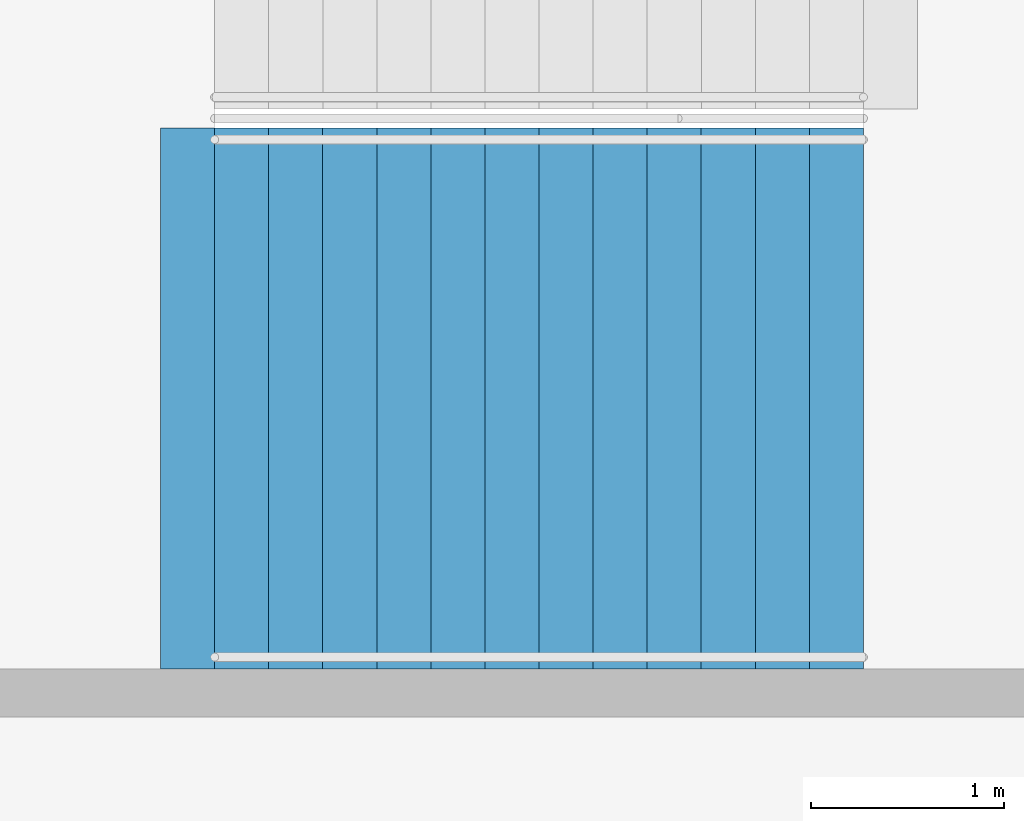
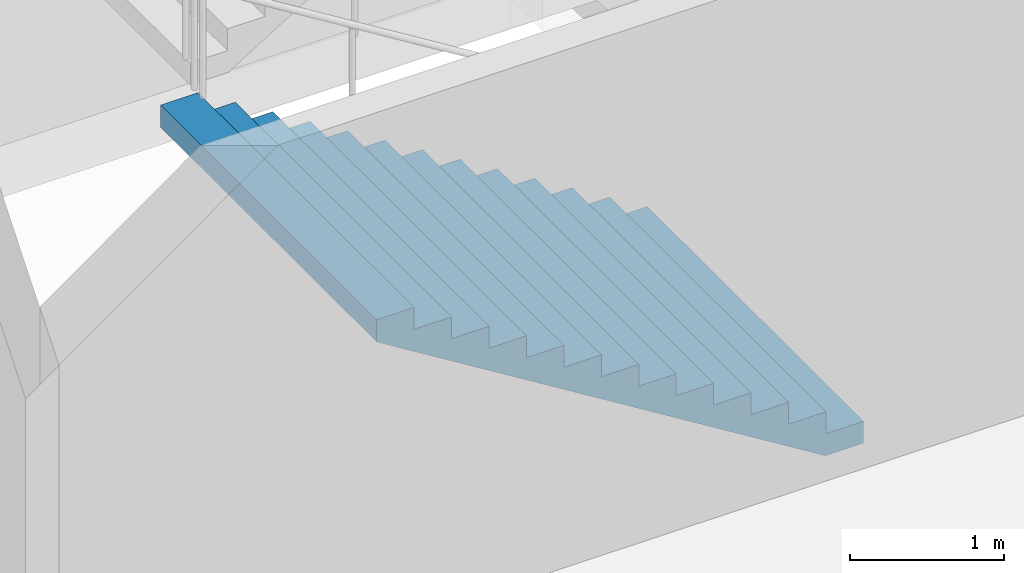
# One storey, part 131 of 199: 1 stair flight, 1 element without a shape of its own.
"""IFC4 building model written with IfcOpenShell, lengths in metres."""

from ifc_helpers import new_model, si_unit, direction, frame, origin, place, context, subcontext, project, spatial, faceted_brep, material, type_object, element, aggregate, save


model = new_model("IFC4")

# Units and contexts
model_context = context("Model", 3, precision=1e-05, world=origin(), true_north=direction((0.0, 1.0)))
body_context = subcontext(model_context, "Body", "Model", "MODEL_VIEW")
ifc_project = project(units=[si_unit("LENGTHUNIT", "METRE"), si_unit("AREAUNIT", "SQUARE_METRE"), si_unit("VOLUMEUNIT", "CUBIC_METRE"), si_unit("PLANEANGLEUNIT", "RADIAN"), si_unit("MASSUNIT", "GRAM", prefix="KILO")], contexts=[model_context])

# Site, building, storey
site_placement = place(None, origin())
site = spatial("IfcSite", under=ifc_project, at=site_placement, CompositionType="ELEMENT")
building_placement = place(site_placement, origin())
building = spatial("IfcBuilding", under=site, at=building_placement, Name="Ogive Plaza Stadium", CompositionType="ELEMENT")
storey_placement = place(building_placement, frame((0.0, 0.0, 9.0)))
storey = spatial("IfcBuildingStorey", under=building, at=storey_placement, Name="L02", CompositionType="ELEMENT", Elevation=9.0)

# Stair, stair flight
ifc_material_1 = material(Name="Concrete C40/50", Category="concrete")
stair_type = type_object("IfcStairType", Name="Exit stair", PredefinedType="STRAIGHT_RUN_STAIR", material=ifc_material_1)
stair_placement = place(storey_placement, origin())
stair = element("IfcStair", 1, at=stair_placement, inside=storey, type_object=stair_type, Name="Exit stair ST26B L02 to L03", PredefinedType="STRAIGHT_RUN_STAIR")
ifc_material_2 = material(Name="Concrete C40/50", Category="concrete")
stair_flight_type = type_object("IfcStairFlightType", Name="Exit stair flight", PredefinedType="STRAIGHT", material=ifc_material_2)
stair_flight_placement = place(storey_placement, frame((-76.35009765625, 18.074951171875, 0.0), z_axis=(0.0, 0.0, 1.0), x_axis=(-1.0, 0.0, 0.0)))
stair_flight = element("IfcStairFlight", 2, at=stair_flight_placement, type_object=stair_flight_type, Name="ST26B flight 1", NumberOfRisers=13, NumberOfTreads=12, PredefinedType="STRAIGHT", RiserHeight=0.173076923, TreadLength=0.28, context=body_context, shape_type="Brep", body=[
    faceted_brep([(0.28515625, -1.39990234375, 0.0), (3.639892578125, -1.39990234375, 2.07373046875), (3.639892578125, -1.39990234375, 2.25), (3.360107421875, -1.39990234375, 2.25), (3.360107421875, -1.39990234375, 2.076904296875), (3.080078125, -1.39990234375, 2.076904296875), (3.080078125, -1.39990234375, 1.90380859375), (2.800048828125, -1.39990234375, 1.90380859375), (2.800048828125, -1.39990234375, 1.730712890625), (2.52001953125, -1.39990234375, 1.730712890625), (2.52001953125, -1.39990234375, 1.5576171875), (2.239990234375, -1.39990234375, 1.5576171875), (2.239990234375, -1.39990234375, 1.384521484375), (1.9599609375, -1.39990234375, 1.384521484375), (1.9599609375, -1.39990234375, 1.21142578125), (1.679931640625, -1.39990234375, 1.21142578125), (1.679931640625, -1.39990234375, 1.03857421875), (1.39990234375, -1.39990234375, 1.03857421875), (1.39990234375, -1.39990234375, 0.865478515625), (1.1201171875, -1.39990234375, 0.865478515625), (1.1201171875, -1.39990234375, 0.6923828125), (0.840087890625, -1.39990234375, 0.6923828125), (0.840087890625, -1.39990234375, 0.519287109375), (0.56005859375, -1.39990234375, 0.519287109375), (0.56005859375, -1.39990234375, 0.34619140625), (0.280029296875, -1.39990234375, 0.34619140625), (0.280029296875, -1.39990234375, 0.173095703125), (0.0, -1.39990234375, 0.173095703125), (0.0, -1.39990234375, 0.0), (0.0, 1.39990234375, 0.0), (0.0, 1.39990234375, 0.173095703125), (0.280029296875, 1.39990234375, 0.173095703125), (0.280029296875, 1.39990234375, 0.34619140625), (0.56005859375, 1.39990234375, 0.34619140625), (0.56005859375, 1.39990234375, 0.519287109375), (0.840087890625, 1.39990234375, 0.519287109375), (0.840087890625, 1.39990234375, 0.6923828125), (1.1201171875, 1.39990234375, 0.6923828125), (1.1201171875, 1.39990234375, 0.865478515625), (1.39990234375, 1.39990234375, 0.865478515625), (1.39990234375, 1.39990234375, 1.03857421875), (1.679931640625, 1.39990234375, 1.03857421875), (1.679931640625, 1.39990234375, 1.21142578125), (1.9599609375, 1.39990234375, 1.21142578125), (1.9599609375, 1.39990234375, 1.384521484375), (2.239990234375, 1.39990234375, 1.384521484375), (2.239990234375, 1.39990234375, 1.5576171875), (2.52001953125, 1.39990234375, 1.5576171875), (2.52001953125, 1.39990234375, 1.730712890625), (2.800048828125, 1.39990234375, 1.730712890625), (2.800048828125, 1.39990234375, 1.90380859375), (3.080078125, 1.39990234375, 1.90380859375), (3.080078125, 1.39990234375, 2.076904296875), (3.360107421875, 1.39990234375, 2.076904296875), (3.360107421875, 1.39990234375, 2.25), (3.639892578125, 1.39990234375, 2.25), (3.639892578125, 1.39990234375, 2.07373046875), (0.28515625, 1.39990234375, 0.0), (0.28515625, -1.0888671875, 0.0), (3.639892578125, -1.0888671875, 2.07373046875), (0.28515625, -0.77783203125, 0.0), (3.639892578125, -0.77783203125, 2.07373046875), (0.28515625, -0.466796875, 0.0), (3.639892578125, -0.466796875, 2.07373046875), (0.28515625, -0.155517578125, 0.0), (3.639892578125, -0.155517578125, 2.07373046875), (0.28515625, 0.155517578125, 0.0), (3.639892578125, 0.155517578125, 2.07373046875), (0.28515625, 0.466796875, 0.0), (3.639892578125, 0.466796875, 2.07373046875), (0.28515625, 0.77783203125, 0.0), (3.639892578125, 0.77783203125, 2.07373046875), (0.28515625, 1.0888671875, 0.0), (3.639892578125, 1.0888671875, 2.07373046875), (3.639892578125, -1.0888671875, 2.25), (3.639892578125, -0.77783203125, 2.25), (3.639892578125, -0.466796875, 2.25), (3.639892578125, -0.155517578125, 2.25), (3.639892578125, 0.155517578125, 2.25), (3.639892578125, 0.466796875, 2.25), (3.639892578125, 0.77783203125, 2.25), (3.639892578125, 1.0888671875, 2.25), (3.360107421875, -1.0888671875, 2.25), (3.360107421875, -0.77783203125, 2.25), (3.360107421875, -0.466796875, 2.25), (3.360107421875, -0.155517578125, 2.25), (3.360107421875, 0.155517578125, 2.25), (3.360107421875, 0.466796875, 2.25), (3.360107421875, 0.77783203125, 2.25), (3.360107421875, 1.0888671875, 2.25), (3.360107421875, -1.0888671875, 2.076904296875), (3.360107421875, -0.77783203125, 2.076904296875), (3.360107421875, -0.466796875, 2.076904296875), (3.360107421875, -0.155517578125, 2.076904296875), (3.360107421875, 0.155517578125, 2.076904296875), (3.360107421875, 0.466796875, 2.076904296875), (3.360107421875, 0.77783203125, 2.076904296875), (3.360107421875, 1.0888671875, 2.076904296875), (3.080078125, -1.0888671875, 2.076904296875), (3.080078125, -0.77783203125, 2.076904296875), (3.080078125, -0.466796875, 2.076904296875), (3.080078125, -0.155517578125, 2.076904296875), (3.080078125, 0.155517578125, 2.076904296875), (3.080078125, 0.466796875, 2.076904296875), (3.080078125, 0.77783203125, 2.076904296875), (3.080078125, 1.0888671875, 2.076904296875), (3.080078125, -1.0888671875, 1.90380859375), (3.080078125, -0.77783203125, 1.90380859375), (3.080078125, -0.466796875, 1.90380859375), (3.080078125, -0.155517578125, 1.90380859375), (3.080078125, 0.155517578125, 1.90380859375), (3.080078125, 0.466796875, 1.90380859375), (3.080078125, 0.77783203125, 1.90380859375), (3.080078125, 1.0888671875, 1.90380859375), (2.800048828125, -1.0888671875, 1.90380859375), (2.800048828125, -0.77783203125, 1.90380859375), (2.800048828125, -0.466796875, 1.90380859375), (2.800048828125, -0.155517578125, 1.90380859375), (2.800048828125, 0.155517578125, 1.90380859375), (2.800048828125, 0.466796875, 1.90380859375), (2.800048828125, 0.77783203125, 1.90380859375), (2.800048828125, 1.0888671875, 1.90380859375), (2.800048828125, -1.0888671875, 1.730712890625), (2.800048828125, -0.77783203125, 1.730712890625), (2.800048828125, -0.466796875, 1.730712890625), (2.800048828125, -0.155517578125, 1.730712890625), (2.800048828125, 0.155517578125, 1.730712890625), (2.800048828125, 0.466796875, 1.730712890625), (2.800048828125, 0.77783203125, 1.730712890625), (2.800048828125, 1.0888671875, 1.730712890625), (2.52001953125, -1.0888671875, 1.730712890625), (2.52001953125, -0.77783203125, 1.730712890625), (2.52001953125, -0.466796875, 1.730712890625), (2.52001953125, -0.155517578125, 1.730712890625), (2.52001953125, 0.155517578125, 1.730712890625), (2.52001953125, 0.466796875, 1.730712890625), (2.52001953125, 0.77783203125, 1.730712890625), (2.52001953125, 1.0888671875, 1.730712890625), (2.52001953125, -1.0888671875, 1.5576171875), (2.52001953125, -0.77783203125, 1.5576171875), (2.52001953125, -0.466796875, 1.5576171875), (2.52001953125, -0.155517578125, 1.5576171875), (2.52001953125, 0.155517578125, 1.5576171875), (2.52001953125, 0.466796875, 1.5576171875), (2.52001953125, 0.77783203125, 1.5576171875), (2.52001953125, 1.0888671875, 1.5576171875), (2.239990234375, -1.0888671875, 1.5576171875), (2.239990234375, -0.77783203125, 1.5576171875), (2.239990234375, -0.466796875, 1.5576171875), (2.239990234375, -0.155517578125, 1.5576171875), (2.239990234375, 0.155517578125, 1.5576171875), (2.239990234375, 0.466796875, 1.5576171875), (2.239990234375, 0.77783203125, 1.5576171875), (2.239990234375, 1.0888671875, 1.5576171875), (2.239990234375, -1.0888671875, 1.384521484375), (2.239990234375, -0.77783203125, 1.384521484375), (2.239990234375, -0.466796875, 1.384521484375), (2.239990234375, -0.155517578125, 1.384521484375), (2.239990234375, 0.155517578125, 1.384521484375), (2.239990234375, 0.466796875, 1.384521484375), (2.239990234375, 0.77783203125, 1.384521484375), (2.239990234375, 1.0888671875, 1.384521484375), (1.9599609375, -1.0888671875, 1.384521484375), (1.9599609375, -0.77783203125, 1.384521484375), (1.9599609375, -0.466796875, 1.384521484375), (1.9599609375, -0.155517578125, 1.384521484375), (1.9599609375, 0.155517578125, 1.384521484375), (1.9599609375, 0.466796875, 1.384521484375), (1.9599609375, 0.77783203125, 1.384521484375), (1.9599609375, 1.0888671875, 1.384521484375), (1.9599609375, -1.0888671875, 1.21142578125), (1.9599609375, -0.77783203125, 1.21142578125), (1.9599609375, -0.466796875, 1.21142578125), (1.9599609375, -0.155517578125, 1.21142578125), (1.9599609375, 0.155517578125, 1.21142578125), (1.9599609375, 0.466796875, 1.21142578125), (1.9599609375, 0.77783203125, 1.21142578125), (1.9599609375, 1.0888671875, 1.21142578125), (1.679931640625, -1.0888671875, 1.21142578125), (1.679931640625, -0.77783203125, 1.21142578125), (1.679931640625, -0.466796875, 1.21142578125), (1.679931640625, -0.155517578125, 1.21142578125), (1.679931640625, 0.155517578125, 1.21142578125), (1.679931640625, 0.466796875, 1.21142578125), (1.679931640625, 0.77783203125, 1.21142578125), (1.679931640625, 1.0888671875, 1.21142578125), (1.679931640625, -1.0888671875, 1.03857421875), (1.679931640625, -0.77783203125, 1.03857421875), (1.679931640625, -0.466796875, 1.03857421875), (1.679931640625, -0.155517578125, 1.03857421875), (1.679931640625, 0.155517578125, 1.03857421875), (1.679931640625, 0.466796875, 1.03857421875), (1.679931640625, 0.77783203125, 1.03857421875), (1.679931640625, 1.0888671875, 1.03857421875), (1.39990234375, -1.0888671875, 1.03857421875), (1.39990234375, -0.77783203125, 1.03857421875), (1.39990234375, -0.466796875, 1.03857421875), (1.39990234375, -0.155517578125, 1.03857421875), (1.39990234375, 0.155517578125, 1.03857421875), (1.39990234375, 0.466796875, 1.03857421875), (1.39990234375, 0.77783203125, 1.03857421875), (1.39990234375, 1.0888671875, 1.03857421875), (1.39990234375, -1.0888671875, 0.865478515625), (1.39990234375, -0.77783203125, 0.865478515625), (1.39990234375, -0.466796875, 0.865478515625), (1.39990234375, -0.155517578125, 0.865478515625), (1.39990234375, 0.155517578125, 0.865478515625), (1.39990234375, 0.466796875, 0.865478515625), (1.39990234375, 0.77783203125, 0.865478515625), (1.39990234375, 1.0888671875, 0.865478515625), (1.1201171875, -1.0888671875, 0.865478515625), (1.1201171875, -0.77783203125, 0.865478515625), (1.1201171875, -0.466796875, 0.865478515625), (1.1201171875, -0.155517578125, 0.865478515625), (1.1201171875, 0.155517578125, 0.865478515625), (1.1201171875, 0.466796875, 0.865478515625), (1.1201171875, 0.77783203125, 0.865478515625), (1.1201171875, 1.0888671875, 0.865478515625), (1.1201171875, -1.0888671875, 0.6923828125), (1.1201171875, -0.77783203125, 0.6923828125), (1.1201171875, -0.466796875, 0.6923828125), (1.1201171875, -0.155517578125, 0.6923828125), (1.1201171875, 0.155517578125, 0.6923828125), (1.1201171875, 0.466796875, 0.6923828125), (1.1201171875, 0.77783203125, 0.6923828125), (1.1201171875, 1.0888671875, 0.6923828125), (0.840087890625, -1.0888671875, 0.6923828125), (0.840087890625, -0.77783203125, 0.6923828125), (0.840087890625, -0.466796875, 0.6923828125), (0.840087890625, -0.155517578125, 0.6923828125), (0.840087890625, 0.155517578125, 0.6923828125), (0.840087890625, 0.466796875, 0.6923828125), (0.840087890625, 0.77783203125, 0.6923828125), (0.840087890625, 1.0888671875, 0.6923828125), (0.840087890625, -1.0888671875, 0.519287109375), (0.840087890625, -0.77783203125, 0.519287109375), (0.840087890625, -0.466796875, 0.519287109375), (0.840087890625, -0.155517578125, 0.519287109375), (0.840087890625, 0.155517578125, 0.519287109375), (0.840087890625, 0.466796875, 0.519287109375), (0.840087890625, 0.77783203125, 0.519287109375), (0.840087890625, 1.0888671875, 0.519287109375), (0.56005859375, -1.0888671875, 0.519287109375), (0.56005859375, -0.77783203125, 0.519287109375), (0.56005859375, -0.466796875, 0.519287109375), (0.56005859375, -0.155517578125, 0.519287109375), (0.56005859375, 0.155517578125, 0.519287109375), (0.56005859375, 0.466796875, 0.519287109375), (0.56005859375, 0.77783203125, 0.519287109375), (0.56005859375, 1.0888671875, 0.519287109375), (0.56005859375, -1.0888671875, 0.34619140625), (0.56005859375, -0.77783203125, 0.34619140625), (0.56005859375, -0.466796875, 0.34619140625), (0.56005859375, -0.155517578125, 0.34619140625), (0.56005859375, 0.155517578125, 0.34619140625), (0.56005859375, 0.466796875, 0.34619140625), (0.56005859375, 0.77783203125, 0.34619140625), (0.56005859375, 1.0888671875, 0.34619140625), (0.280029296875, -1.0888671875, 0.34619140625), (0.280029296875, -0.77783203125, 0.34619140625), (0.280029296875, -0.466796875, 0.34619140625), (0.280029296875, -0.155517578125, 0.34619140625), (0.280029296875, 0.155517578125, 0.34619140625), (0.280029296875, 0.466796875, 0.34619140625), (0.280029296875, 0.77783203125, 0.34619140625), (0.280029296875, 1.0888671875, 0.34619140625), (0.280029296875, -1.0888671875, 0.173095703125), (0.280029296875, -0.77783203125, 0.173095703125), (0.280029296875, -0.466796875, 0.173095703125), (0.280029296875, -0.155517578125, 0.173095703125), (0.280029296875, 0.155517578125, 0.173095703125), (0.280029296875, 0.466796875, 0.173095703125), (0.280029296875, 0.77783203125, 0.173095703125), (0.280029296875, 1.0888671875, 0.173095703125), (0.0, -1.0888671875, 0.173095703125), (0.0, -0.77783203125, 0.173095703125), (0.0, -0.466796875, 0.173095703125), (0.0, -0.155517578125, 0.173095703125), (0.0, 0.155517578125, 0.173095703125), (0.0, 0.466796875, 0.173095703125), (0.0, 0.77783203125, 0.173095703125), (0.0, 1.0888671875, 0.173095703125), (0.0, -1.0888671875, 0.0), (0.0, -0.77783203125, 0.0), (0.0, -0.466796875, 0.0), (0.0, -0.155517578125, 0.0), (0.0, 0.155517578125, 0.0), (0.0, 0.466796875, 0.0), (0.0, 0.77783203125, 0.0), (0.0, 1.0888671875, 0.0)], [[[0, 1, 2, 3, 4, 5, 6, 7, 8, 9, 10, 11, 12, 13, 14, 15, 16, 17, 18, 19, 20, 21, 22, 23, 24, 25, 26, 27, 28]], [[29, 30, 31, 32, 33, 34, 35, 36, 37, 38, 39, 40, 41, 42, 43, 44, 45, 46, 47, 48, 49, 50, 51, 52, 53, 54, 55, 56, 57]], [[0, 58, 59, 1]], [[58, 60, 61, 59]], [[60, 62, 63, 61]], [[62, 64, 65, 63]], [[64, 66, 67, 65]], [[66, 68, 69, 67]], [[68, 70, 71, 69]], [[70, 72, 73, 71]], [[72, 57, 56, 73]], [[1, 59, 74, 2]], [[59, 61, 75, 74]], [[61, 63, 76, 75]], [[63, 65, 77, 76]], [[65, 67, 78, 77]], [[67, 69, 79, 78]], [[69, 71, 80, 79]], [[71, 73, 81, 80]], [[73, 56, 55, 81]], [[2, 74, 82, 3]], [[74, 75, 83, 82]], [[75, 76, 84, 83]], [[76, 77, 85, 84]], [[77, 78, 86, 85]], [[78, 79, 87, 86]], [[79, 80, 88, 87]], [[80, 81, 89, 88]], [[81, 55, 54, 89]], [[3, 82, 90, 4]], [[82, 83, 91, 90]], [[83, 84, 92, 91]], [[84, 85, 93, 92]], [[85, 86, 94, 93]], [[86, 87, 95, 94]], [[87, 88, 96, 95]], [[88, 89, 97, 96]], [[89, 54, 53, 97]], [[4, 90, 98, 5]], [[90, 91, 99, 98]], [[91, 92, 100, 99]], [[92, 93, 101, 100]], [[93, 94, 102, 101]], [[94, 95, 103, 102]], [[95, 96, 104, 103]], [[96, 97, 105, 104]], [[97, 53, 52, 105]], [[5, 98, 106, 6]], [[98, 99, 107, 106]], [[99, 100, 108, 107]], [[100, 101, 109, 108]], [[101, 102, 110, 109]], [[102, 103, 111, 110]], [[103, 104, 112, 111]], [[104, 105, 113, 112]], [[105, 52, 51, 113]], [[6, 106, 114, 7]], [[106, 107, 115, 114]], [[107, 108, 116, 115]], [[108, 109, 117, 116]], [[109, 110, 118, 117]], [[110, 111, 119, 118]], [[111, 112, 120, 119]], [[112, 113, 121, 120]], [[113, 51, 50, 121]], [[7, 114, 122, 8]], [[114, 115, 123, 122]], [[115, 116, 124, 123]], [[116, 117, 125, 124]], [[117, 118, 126, 125]], [[118, 119, 127, 126]], [[119, 120, 128, 127]], [[120, 121, 129, 128]], [[121, 50, 49, 129]], [[8, 122, 130, 9]], [[122, 123, 131, 130]], [[123, 124, 132, 131]], [[124, 125, 133, 132]], [[125, 126, 134, 133]], [[126, 127, 135, 134]], [[127, 128, 136, 135]], [[128, 129, 137, 136]], [[129, 49, 48, 137]], [[9, 130, 138, 10]], [[130, 131, 139, 138]], [[131, 132, 140, 139]], [[132, 133, 141, 140]], [[133, 134, 142, 141]], [[134, 135, 143, 142]], [[135, 136, 144, 143]], [[136, 137, 145, 144]], [[137, 48, 47, 145]], [[10, 138, 146, 11]], [[138, 139, 147, 146]], [[139, 140, 148, 147]], [[140, 141, 149, 148]], [[141, 142, 150, 149]], [[142, 143, 151, 150]], [[143, 144, 152, 151]], [[144, 145, 153, 152]], [[145, 47, 46, 153]], [[11, 146, 154, 12]], [[146, 147, 155, 154]], [[147, 148, 156, 155]], [[148, 149, 157, 156]], [[149, 150, 158, 157]], [[150, 151, 159, 158]], [[151, 152, 160, 159]], [[152, 153, 161, 160]], [[153, 46, 45, 161]], [[12, 154, 162, 13]], [[154, 155, 163, 162]], [[155, 156, 164, 163]], [[156, 157, 165, 164]], [[157, 158, 166, 165]], [[158, 159, 167, 166]], [[159, 160, 168, 167]], [[160, 161, 169, 168]], [[161, 45, 44, 169]], [[13, 162, 170, 14]], [[162, 163, 171, 170]], [[163, 164, 172, 171]], [[164, 165, 173, 172]], [[165, 166, 174, 173]], [[166, 167, 175, 174]], [[167, 168, 176, 175]], [[168, 169, 177, 176]], [[169, 44, 43, 177]], [[14, 170, 178, 15]], [[170, 171, 179, 178]], [[171, 172, 180, 179]], [[172, 173, 181, 180]], [[173, 174, 182, 181]], [[174, 175, 183, 182]], [[175, 176, 184, 183]], [[176, 177, 185, 184]], [[177, 43, 42, 185]], [[15, 178, 186, 16]], [[178, 179, 187, 186]], [[179, 180, 188, 187]], [[180, 181, 189, 188]], [[181, 182, 190, 189]], [[182, 183, 191, 190]], [[183, 184, 192, 191]], [[184, 185, 193, 192]], [[185, 42, 41, 193]], [[16, 186, 194, 17]], [[186, 187, 195, 194]], [[187, 188, 196, 195]], [[188, 189, 197, 196]], [[189, 190, 198, 197]], [[190, 191, 199, 198]], [[191, 192, 200, 199]], [[192, 193, 201, 200]], [[193, 41, 40, 201]], [[17, 194, 202, 18]], [[194, 195, 203, 202]], [[195, 196, 204, 203]], [[196, 197, 205, 204]], [[197, 198, 206, 205]], [[198, 199, 207, 206]], [[199, 200, 208, 207]], [[200, 201, 209, 208]], [[201, 40, 39, 209]], [[18, 202, 210, 19]], [[202, 203, 211, 210]], [[203, 204, 212, 211]], [[204, 205, 213, 212]], [[205, 206, 214, 213]], [[206, 207, 215, 214]], [[207, 208, 216, 215]], [[208, 209, 217, 216]], [[209, 39, 38, 217]], [[19, 210, 218, 20]], [[210, 211, 219, 218]], [[211, 212, 220, 219]], [[212, 213, 221, 220]], [[213, 214, 222, 221]], [[214, 215, 223, 222]], [[215, 216, 224, 223]], [[216, 217, 225, 224]], [[217, 38, 37, 225]], [[20, 218, 226, 21]], [[218, 219, 227, 226]], [[219, 220, 228, 227]], [[220, 221, 229, 228]], [[221, 222, 230, 229]], [[222, 223, 231, 230]], [[223, 224, 232, 231]], [[224, 225, 233, 232]], [[225, 37, 36, 233]], [[21, 226, 234, 22]], [[226, 227, 235, 234]], [[227, 228, 236, 235]], [[228, 229, 237, 236]], [[229, 230, 238, 237]], [[230, 231, 239, 238]], [[231, 232, 240, 239]], [[232, 233, 241, 240]], [[233, 36, 35, 241]], [[22, 234, 242, 23]], [[234, 235, 243, 242]], [[235, 236, 244, 243]], [[236, 237, 245, 244]], [[237, 238, 246, 245]], [[238, 239, 247, 246]], [[239, 240, 248, 247]], [[240, 241, 249, 248]], [[241, 35, 34, 249]], [[23, 242, 250, 24]], [[242, 243, 251, 250]], [[243, 244, 252, 251]], [[244, 245, 253, 252]], [[245, 246, 254, 253]], [[246, 247, 255, 254]], [[247, 248, 256, 255]], [[248, 249, 257, 256]], [[249, 34, 33, 257]], [[24, 250, 258, 25]], [[250, 251, 259, 258]], [[251, 252, 260, 259]], [[252, 253, 261, 260]], [[253, 254, 262, 261]], [[254, 255, 263, 262]], [[255, 256, 264, 263]], [[256, 257, 265, 264]], [[257, 33, 32, 265]], [[25, 258, 266, 26]], [[258, 259, 267, 266]], [[259, 260, 268, 267]], [[260, 261, 269, 268]], [[261, 262, 270, 269]], [[262, 263, 271, 270]], [[263, 264, 272, 271]], [[264, 265, 273, 272]], [[265, 32, 31, 273]], [[26, 266, 274, 27]], [[266, 267, 275, 274]], [[267, 268, 276, 275]], [[268, 269, 277, 276]], [[269, 270, 278, 277]], [[270, 271, 279, 278]], [[271, 272, 280, 279]], [[272, 273, 281, 280]], [[273, 31, 30, 281]], [[27, 274, 282, 28]], [[274, 275, 283, 282]], [[275, 276, 284, 283]], [[276, 277, 285, 284]], [[277, 278, 286, 285]], [[278, 279, 287, 286]], [[279, 280, 288, 287]], [[280, 281, 289, 288]], [[281, 30, 29, 289]], [[28, 282, 58, 0]], [[282, 283, 60, 58]], [[283, 284, 62, 60]], [[284, 285, 64, 62]], [[285, 286, 66, 64]], [[286, 287, 68, 66]], [[287, 288, 70, 68]], [[288, 289, 72, 70]], [[289, 29, 57, 72]]]),
])
aggregate(stair, [stair_flight])

save(model, "model.ifc")
